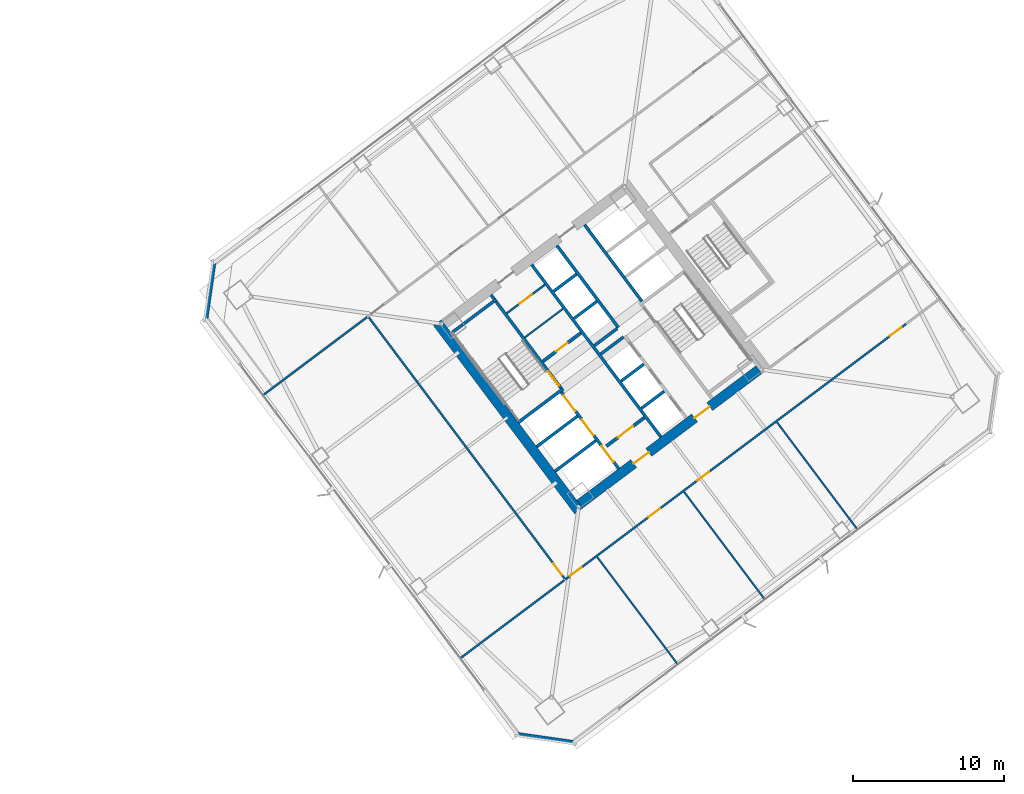
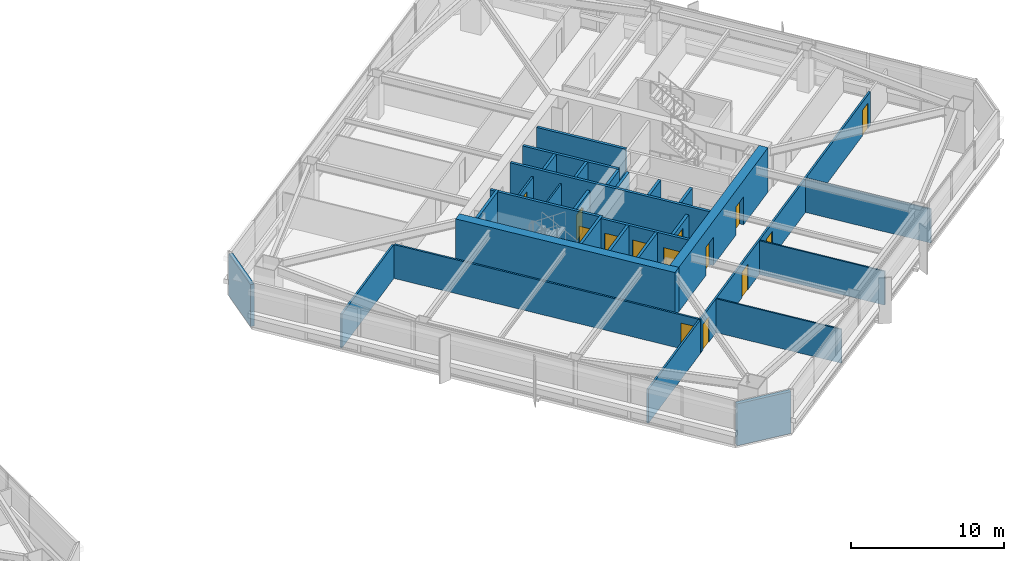
# One storey, part 38 of 49: 30 walls, 14 doors, 14 openings.
"""IFC4 building model written with IfcOpenShell, lengths in metres."""

from ifc_helpers import new_model, si_unit, direction, frame, frame_2d, origin, place, context, subcontext, project, spatial, rectangle, extrude, material, layer, layer_set, type_object, element, fill, save


model = new_model("IFC4")

# Units and contexts
model_context = context("Model", 3, precision=1e-05, world=origin(), true_north=direction((0.0, 1.0)))
body_context = subcontext(model_context, "Body", "Model", "MODEL_VIEW")
ifc_project = project(units=[si_unit("LENGTHUNIT", "METRE"), si_unit("AREAUNIT", "SQUARE_METRE"), si_unit("VOLUMEUNIT", "CUBIC_METRE"), si_unit("PLANEANGLEUNIT", "RADIAN"), si_unit("MASSUNIT", "GRAM", prefix="KILO")], contexts=[model_context])

# Site, building, storey
site_placement = place(None, origin())
site = spatial("IfcSite", under=ifc_project, at=site_placement, CompositionType="ELEMENT")
building_placement = place(site_placement, origin())
building = spatial("IfcBuilding", under=site, at=building_placement, Name="Tashvorn Skyway Center", CompositionType="ELEMENT")
storey_placement = place(building_placement, frame((0.0, 0.0, 70.75)))
storey = spatial("IfcBuildingStorey", under=building, at=storey_placement, Name="L18", CompositionType="ELEMENT", Elevation=70.75)

# Wall
ifc_material_1 = material(Name="Concrete C60/75", Category="concrete")
ifc_layer_1 = layer(ifc_material_1, 0.64990234375)
ifc_layer_set_1 = layer_set([ifc_layer_1], Name="Concrete C60/75")
wall_type_1 = type_object("IfcWallType", Name="WALL-CORE-650", PredefinedType="SHEAR", material=ifc_layer_set_1)
wall_1_placement = place(storey_placement, frame((112.47607421875, 21.10693359375, 0.0), z_axis=(0.0, 0.0, 1.0), x_axis=(-0.600005007985, 0.799996243986, 0.0)))
element("IfcWall", 1, at=wall_1_placement, inside=storey, type_object=wall_type_1, Name="Tower 2 L18 West Core Shear Wall", PredefinedType="SHEAR", context=body_context, shape_type="SweptSolid", body=[
    extrude(rectangle(XDim=15.60009765625, YDim=0.64990234375, at=frame_2d((7.800048828125, 0.0))), origin(), (0.0, 0.0, 1.0), 3.550048828125),
])

# Wall, openings, doors
wall_2_placement = place(storey_placement, frame((124.428955078125, 30.47802734375, 0.0), z_axis=(0.0, 0.0, 1.0), x_axis=(-0.799998028465, -0.600002628705, 0.0)))
wall_2 = element("IfcWall", 2, at=wall_2_placement, inside=storey, type_object=wall_type_1, Name="Tower 2 L18 South Core Shear Wall", PredefinedType="SHEAR", context=body_context, shape_type="SweptSolid", body=[
    extrude(rectangle(XDim=14.85986328125, YDim=0.64990234375, at=frame_2d((7.429931640625, 0.0))), origin(), (0.0, 0.0, 1.0), 3.550048828125),
])
opening_1_placement = place(wall_2_placement, frame((9.1298828125, 0.0, 0.0)))
opening_1 = element("IfcOpeningElement", 3, at=opening_1_placement, cuts=wall_2, Name="Opening D-FFL-1250", PredefinedType="OPENING", context=body_context, shape_type="SweptSolid", body=[
    extrude(rectangle(XDim=1.25, YDim=2.25, at=frame_2d((0.625, 1.125))), frame((0.0, 0.3349609375, 0.0), z_axis=(0.0, -1.0, 0.0), x_axis=(1.0, 0.0, 0.0)), (0.0, 0.0, 1.0), 0.669921875),
])
opening_2_placement = place(wall_2_placement, frame((4.080078125, 0.0, 0.0)))
opening_2 = element("IfcOpeningElement", 4, at=opening_2_placement, cuts=wall_2, Name="Opening D-FFL-1250", PredefinedType="OPENING", context=body_context, shape_type="SweptSolid", body=[
    extrude(rectangle(XDim=1.25, YDim=2.25, at=frame_2d((0.625, 1.125))), frame((0.0, 0.3349609375, 0.0), z_axis=(0.0, -1.0, 0.0), x_axis=(1.0, 0.0, 0.0)), (0.0, 0.0, 1.0), 0.669921875),
])
ifc_material_2 = material(Name="Hollow galvanized steel fire door assembly", Category="steel")
door_type_1 = type_object("IfcDoorType", Name="DOOR-FFL-1250", OperationType="NOTDEFINED", PredefinedType="DOOR", material=ifc_material_2)
door_1_placement = place(opening_1_placement, origin())
door_1 = element("IfcDoor", 5, at=door_1_placement, inside=storey, type_object=door_type_1, Name="Tower 2 L18 Core South Firefighting Exit Door", OperationType="SINGLE_SWING_LEFT", OverallHeight=2.25, OverallWidth=1.25, PredefinedType="DOOR", context=body_context, shape_type="SweptSolid", body=[
    extrude(rectangle(XDim=1.25, YDim=2.25, at=frame_2d((0.625, 1.125))), frame((0.0, 0.02490234375, 0.0), z_axis=(0.0, -1.0, 0.0), x_axis=(1.0, 0.0, 0.0)), (0.0, 0.0, 1.0), 0.050048828125),
])
fill(opening_1, door_1)
door_2_placement = place(opening_2_placement, origin())
door_2 = element("IfcDoor", 6, at=door_2_placement, inside=storey, type_object=door_type_1, Name="Tower 2 L18 Core South Lift Lobby Door", OperationType="SINGLE_SWING_RIGHT", OverallHeight=2.25, OverallWidth=1.25, PredefinedType="DOOR", context=body_context, shape_type="SweptSolid", body=[
    extrude(rectangle(XDim=1.25, YDim=2.25, at=frame_2d((0.625, 1.125))), frame((0.0, 0.02490234375, 0.0), z_axis=(0.0, -1.0, 0.0), x_axis=(1.0, 0.0, 0.0)), (0.0, 0.0, 1.0), 0.050048828125),
])
fill(opening_2, door_2)

# Walls
ifc_material_3 = material(Name="Precast concrete C40/50", Category="concrete")
ifc_layer_2 = layer(ifc_material_3, 0.280029296875)
ifc_layer_set_2 = layer_set([ifc_layer_2], Name="Precast concrete C40/50")
wall_type_2 = type_object("IfcWallType", Name="WALL-EXT-280", PredefinedType="SOLIDWALL", material=ifc_layer_set_2)
for number, where, z_axis, x_axis, name in (
    (7, (112.179931640625, 5.760009765625, 0.0), (0.0, 0.0, 1.0), (-0.989948214866, 0.141430307517, 0.0), "Tower 2 L18 SW Precast Chamfer Wall"),
    (8, (87.760009765625, 33.820068359375, 0.0), (0.0, 0.0, 1.0), (0.141430307517, 0.989948214866, 0.0), "Tower 2 L18 NW Precast Chamfer Wall"),
):
    element("IfcWall", number, at=place(storey_placement, frame(where, z_axis=z_axis, x_axis=x_axis)), inside=storey, type_object=wall_type_2, Name=name, PredefinedType="SOLIDWALL", context=body_context, shape_type="SweptSolid", body=[
        extrude(rectangle(XDim=3.818359375, YDim=0.280029296875, at=frame_2d((1.9091796875, 0.0))), origin(), (0.0, 0.0, 1.0), 3.35009765625),
    ])

# Wall, opening, door
ifc_material_4 = material(Name="Concrete C40/50", Category="concrete")
ifc_layer_3 = layer(ifc_material_4, 0.219970703125)
ifc_layer_set_3 = layer_set([ifc_layer_3], Name="Concrete C40/50")
wall_type_3 = type_object("IfcWallType", Name="WALL-FFL-220", PredefinedType="SOLIDWALL", material=ifc_layer_set_3)
wall_3_placement = place(storey_placement, frame((110.10400390625, 31.028076171875, 0.0), z_axis=(0.0, 0.0, 1.0), x_axis=(0.800018601094, 0.59997519774, 0.0)))
wall_3 = element("IfcWall", 9, at=wall_3_placement, inside=storey, type_object=wall_type_3, Name="Tower 2 L18 Firefighting Lobby North Wall", PredefinedType="SOLIDWALL", context=body_context, shape_type="SweptSolid", body=[
    extrude(rectangle(XDim=3.14990234375, YDim=0.219970703125, at=frame_2d((1.574951171875, 0.0))), origin(), (0.0, 0.0, 1.0), 2.702880859375),
])
opening_3_placement = place(wall_3_placement, frame((1.10009765625, 0.0, 0.0)))
opening_3 = element("IfcOpeningElement", 10, at=opening_3_placement, cuts=wall_3, Name="Opening D-RT-950", PredefinedType="OPENING", context=body_context, shape_type="SweptSolid", body=[
    extrude(rectangle(XDim=0.949951171875, YDim=2.050048828125, at=frame_2d((0.47509765625, 1.02490234375))), frame((0.0, 0.119873046875, 0.0), z_axis=(0.0, -1.0, 0.0), x_axis=(1.0, 0.0, 0.0)), (0.0, 0.0, 1.0), 0.239990234375),
])
door_type_2 = type_object("IfcDoorType", Name="DOOR-RATED-950", OperationType="NOTDEFINED", PredefinedType="DOOR", material=ifc_material_2)
door_3_placement = place(opening_3_placement, origin())
door_3 = element("IfcDoor", 11, at=door_3_placement, inside=storey, type_object=door_type_2, Name="Tower 2 L18 Core Linen Store Door", OperationType="SINGLE_SWING_LEFT", OverallHeight=2.050048828125, OverallWidth=0.949951171875, PredefinedType="DOOR", context=body_context, shape_type="SweptSolid", body=[
    extrude(rectangle(XDim=0.949951171875, YDim=2.050048828125, at=frame_2d((0.47509765625, 1.02490234375))), frame((0.0, 0.02490234375, 0.0), z_axis=(0.0, -1.0, 0.0), x_axis=(1.0, 0.0, 0.0)), (0.0, 0.0, 1.0), 0.050048828125),
])
fill(opening_3, door_3)

wall_4_placement = place(storey_placement, frame((114.31591796875, 25.412109375, 0.0), z_axis=(0.0, 0.0, 1.0), x_axis=(0.800018601094, 0.59997519774, 0.0)))
wall_4 = element("IfcWall", 12, at=wall_4_placement, inside=storey, type_object=wall_type_3, Name="Tower 2 L18 Firefighting Lobby South Wall", PredefinedType="SOLIDWALL", context=body_context, shape_type="SweptSolid", body=[
    extrude(rectangle(XDim=3.14990234375, YDim=0.219970703125, at=frame_2d((1.574951171875, 0.0))), origin(), (0.0, 0.0, 1.0), 2.702880859375),
])
opening_4_placement = place(wall_4_placement, frame((0.949951171875, 0.0, 0.0)))
opening_4 = element("IfcOpeningElement", 13, at=opening_4_placement, cuts=wall_4, Name="Opening D-FFL-1250", PredefinedType="OPENING", context=body_context, shape_type="SweptSolid", body=[
    extrude(rectangle(XDim=1.25, YDim=2.25, at=frame_2d((0.625, 1.125))), frame((0.0, 0.119873046875, 0.0), z_axis=(0.0, -1.0, 0.0), x_axis=(1.0, 0.0, 0.0)), (0.0, 0.0, 1.0), 0.239990234375),
])
door_4_placement = place(opening_4_placement, origin())
door_4 = element("IfcDoor", 14, at=door_4_placement, inside=storey, type_object=door_type_1, Name="Tower 2 L18 Firefighting Lobby Egress Door", OperationType="SINGLE_SWING_LEFT", OverallHeight=2.25, OverallWidth=1.25, PredefinedType="DOOR", context=body_context, shape_type="SweptSolid", body=[
    extrude(rectangle(XDim=1.25, YDim=2.25, at=frame_2d((0.625, 1.125))), frame((0.0, 0.02490234375, 0.0), z_axis=(0.0, -1.0, 0.0), x_axis=(1.0, 0.0, 0.0)), (0.0, 0.0, 1.0), 0.050048828125),
])
fill(opening_4, door_4)

# Walls
ifc_material_5 = material(Name="Gypsum board on cold-formed steel stud framing", Category="steel")
ifc_layer_4 = layer(ifc_material_5, 0.110107421875)
ifc_layer_set_4 = layer_set([ifc_layer_4], Name="Gypsum board on cold-formed steel stud framing")
wall_type_4 = type_object("IfcWallType", Name="WALL-PART-110", PredefinedType="PARTITIONING", material=ifc_layer_set_4)
for number, where, z_axis, x_axis, name in (
    (15, (119.048095703125, 10.93603515625, 0.0), (0.0, 0.0, 1.0), (-0.600013167126, 0.799990124486, 0.0), "Tower 2 L18 South Suite Partition 1"),
    (16, (124.80810546875, 15.256103515625, 0.0), (0.0, 0.0, 1.0), (-0.600013167126, 0.799990124486, 0.0), "Tower 2 L18 South Suite Partition 2"),
):
    element("IfcWall", number, at=place(storey_placement, frame(where, z_axis=z_axis, x_axis=x_axis)), inside=storey, type_object=wall_type_4, Name=name, PredefinedType="PARTITIONING", context=body_context, shape_type="SweptSolid", body=[
        extrude(rectangle(XDim=8.89990234375, YDim=0.110107421875, at=frame_2d((4.449951171875, 0.0))), origin(), (0.0, 0.0, 1.0), 2.702880859375),
    ])
wall_5_placement = place(storey_placement, frame((130.968017578125, 19.8759765625, 0.0), z_axis=(0.0, 0.0, 1.0), x_axis=(-0.6, 0.8, 0.0)))
element("IfcWall", 17, at=wall_5_placement, inside=storey, type_object=wall_type_4, Name="Tower 2 L18 South Suite Partition 3", PredefinedType="PARTITIONING", context=body_context, shape_type="SweptSolid", body=[
    extrude(rectangle(XDim=8.900146484375, YDim=0.110107421875, at=frame_2d((4.4501953125, 0.0))), origin(), (0.0, 0.0, 1.0), 2.702880859375),
])

# Wall, openings, doors
ifc_layer_5 = layer(ifc_material_5, 0.135009765625)
ifc_layer_set_5 = layer_set([ifc_layer_5], Name="Gypsum board on cold-formed steel stud framing")
wall_type_5 = type_object("IfcWallType", Name="WALL-PART-135", PredefinedType="PARTITIONING", material=ifc_layer_set_5)
wall_6_placement = place(storey_placement, frame((134.179931640625, 33.510009765625, 0.0), z_axis=(0.0, 0.0, 1.0), x_axis=(-0.8, -0.6, 0.0)))
wall_6 = element("IfcWall", 18, at=wall_6_placement, inside=storey, type_object=wall_type_5, Name="Tower 2 L18 South Suite Wall", PredefinedType="PARTITIONING", context=body_context, shape_type="SweptSolid", body=[
    extrude(rectangle(XDim=28.22998046875, YDim=0.135009765625, at=frame_2d((14.114990234375, 0.0))), origin(), (0.0, 0.0, 1.0), 2.702880859375),
])
opening_5_placement = place(wall_6_placement, frame((26.89990234375, 0.0, 0.0)))
opening_5 = element("IfcOpeningElement", 19, at=opening_5_placement, cuts=wall_6, Name="Opening D-INT-950", PredefinedType="OPENING", context=body_context, shape_type="SweptSolid", body=[
    extrude(rectangle(XDim=0.949951171875, YDim=2.050048828125, at=frame_2d((0.47509765625, 1.02490234375))), frame((0.0, 0.077392578125, 0.0), z_axis=(0.0, -1.0, 0.0), x_axis=(1.0, 0.0, 0.0)), (0.0, 0.0, 1.0), 0.155029296875),
])
opening_6_placement = place(wall_6_placement, frame((20.398681640625, 0.0, 0.0)))
opening_6 = element("IfcOpeningElement", 20, at=opening_6_placement, cuts=wall_6, Name="Opening D-INT-950", PredefinedType="OPENING", context=body_context, shape_type="SweptSolid", body=[
    extrude(rectangle(XDim=0.949951171875, YDim=2.050048828125, at=frame_2d((0.47509765625, 1.02490234375))), frame((0.0, 0.077392578125, 0.0), z_axis=(0.0, -1.0, 0.0), x_axis=(1.0, 0.0, 0.0)), (0.0, 0.0, 1.0), 0.155029296875),
])
opening_7_placement = place(wall_6_placement, frame((16.338623046875, 0.0, 0.0)))
opening_7 = element("IfcOpeningElement", 21, at=opening_7_placement, cuts=wall_6, Name="Opening D-INT-950", PredefinedType="OPENING", context=body_context, shape_type="SweptSolid", body=[
    extrude(rectangle(XDim=0.949951171875, YDim=2.050048828125, at=frame_2d((0.47509765625, 1.02490234375))), frame((0.0, 0.077392578125, 0.0), z_axis=(0.0, -1.0, 0.0), x_axis=(1.0, 0.0, 0.0)), (0.0, 0.0, 1.0), 0.155029296875),
])
opening_8_placement = place(wall_6_placement, frame((0.3798828125, 0.0, 0.0)))
opening_8 = element("IfcOpeningElement", 22, at=opening_8_placement, cuts=wall_6, Name="Opening D-INT-950", PredefinedType="OPENING", context=body_context, shape_type="SweptSolid", body=[
    extrude(rectangle(XDim=0.949951171875, YDim=2.050048828125, at=frame_2d((0.47509765625, 1.02490234375))), frame((0.0, 0.077392578125, 0.0), z_axis=(0.0, -1.0, 0.0), x_axis=(1.0, 0.0, 0.0)), (0.0, 0.0, 1.0), 0.155029296875),
])
ifc_material_6 = material(Name="Solid-core architectural oak veneer door")
door_type_3 = type_object("IfcDoorType", Name="DOOR-INT-950", OperationType="NOTDEFINED", PredefinedType="DOOR", material=ifc_material_6)
door_5_placement = place(opening_5_placement, origin())
door_5 = element("IfcDoor", 23, at=door_5_placement, inside=storey, type_object=door_type_3, Name="Tower 2 L18 Conference Room Door", OperationType="SINGLE_SWING_RIGHT", OverallHeight=2.050048828125, OverallWidth=0.949951171875, PredefinedType="DOOR", context=body_context, shape_type="SweptSolid", body=[
    extrude(rectangle(XDim=0.949951171875, YDim=2.050048828125, at=frame_2d((0.47509765625, 1.02490234375))), frame((0.0, 0.02490234375, 0.0), z_axis=(0.0, -1.0, 0.0), x_axis=(1.0, 0.0, 0.0)), (0.0, 0.0, 1.0), 0.050048828125),
])
fill(opening_5, door_5)
door_6_placement = place(opening_6_placement, origin())
door_6 = element("IfcDoor", 24, at=door_6_placement, inside=storey, type_object=door_type_3, Name="Tower 2 L18 Boardroom Door", OperationType="SINGLE_SWING_LEFT", OverallHeight=2.050048828125, OverallWidth=0.949951171875, PredefinedType="DOOR", context=body_context, shape_type="SweptSolid", body=[
    extrude(rectangle(XDim=0.949951171875, YDim=2.050048828125, at=frame_2d((0.47509765625, 1.02490234375))), frame((0.0, 0.02490234375, 0.0), z_axis=(0.0, -1.0, 0.0), x_axis=(1.0, 0.0, 0.0)), (0.0, 0.0, 1.0), 0.050048828125),
])
fill(opening_6, door_6)
door_7_placement = place(opening_7_placement, origin())
door_7 = element("IfcDoor", 25, at=door_7_placement, inside=storey, type_object=door_type_3, Name="Tower 2 L18 Boardroom Door", OperationType="SINGLE_SWING_RIGHT", OverallHeight=2.050048828125, OverallWidth=0.949951171875, PredefinedType="DOOR", context=body_context, shape_type="SweptSolid", body=[
    extrude(rectangle(XDim=0.949951171875, YDim=2.050048828125, at=frame_2d((0.47509765625, 1.02490234375))), frame((0.0, 0.02490234375, 0.0), z_axis=(0.0, -1.0, 0.0), x_axis=(1.0, 0.0, 0.0)), (0.0, 0.0, 1.0), 0.050048828125),
])
fill(opening_7, door_7)
door_8_placement = place(opening_8_placement, origin())
door_8 = element("IfcDoor", 26, at=door_8_placement, inside=storey, type_object=door_type_3, Name="Tower 2 L18 Catering Pantry Door", OperationType="SINGLE_SWING_LEFT", OverallHeight=2.050048828125, OverallWidth=0.949951171875, PredefinedType="DOOR", context=body_context, shape_type="SweptSolid", body=[
    extrude(rectangle(XDim=0.949951171875, YDim=2.050048828125, at=frame_2d((0.47509765625, 1.02490234375))), frame((0.0, 0.02490234375, 0.0), z_axis=(0.0, -1.0, 0.0), x_axis=(1.0, 0.0, 0.0)), (0.0, 0.0, 1.0), 0.050048828125),
])
fill(opening_8, door_8)

# Wall, opening, door
wall_7_placement = place(storey_placement, frame((111.548095703125, 16.635986328125, 0.0), z_axis=(0.0, 0.0, 1.0), x_axis=(-0.600003610192, 0.799997292343, 0.0)))
wall_7 = element("IfcWall", 27, at=wall_7_placement, inside=storey, type_object=wall_type_5, Name="Tower 2 L18 West Inner Suite Wall", PredefinedType="PARTITIONING", context=body_context, shape_type="SweptSolid", body=[
    extrude(rectangle(XDim=21.64013671875, YDim=0.135009765625, at=frame_2d((10.820068359375, 0.0))), origin(), (0.0, 0.0, 1.0), 2.702880859375),
])
opening_9_placement = place(wall_7_placement, frame((0.300048828125, 0.0, 0.0)))
opening_9 = element("IfcOpeningElement", 28, at=opening_9_placement, cuts=wall_7, Name="Opening D-INT-950", PredefinedType="OPENING", context=body_context, shape_type="SweptSolid", body=[
    extrude(rectangle(XDim=0.949951171875, YDim=2.050048828125, at=frame_2d((0.47509765625, 1.02490234375))), frame((0.0, 0.077392578125, 0.0), z_axis=(0.0, -1.0, 0.0), x_axis=(1.0, 0.0, 0.0)), (0.0, 0.0, 1.0), 0.155029296875),
])
door_9_placement = place(opening_9_placement, origin())
door_9 = element("IfcDoor", 29, at=door_9_placement, inside=storey, type_object=door_type_3, Name="Tower 2 L18 Catering Pantry Door", OperationType="SINGLE_SWING_RIGHT", OverallHeight=2.050048828125, OverallWidth=0.949951171875, PredefinedType="DOOR", context=body_context, shape_type="SweptSolid", body=[
    extrude(rectangle(XDim=0.949951171875, YDim=2.050048828125, at=frame_2d((0.47509765625, 1.02490234375))), frame((0.0, 0.02490234375, 0.0), z_axis=(0.0, -1.0, 0.0), x_axis=(1.0, 0.0, 0.0)), (0.0, 0.0, 1.0), 0.050048828125),
])
fill(opening_9, door_9)

# Walls
wall_8_placement = place(storey_placement, frame((98.451904296875, 33.964111328125, 0.0), z_axis=(0.0, 0.0, 1.0), x_axis=(-0.799993202584, -0.600009063115, 0.0)))
element("IfcWall", 30, at=wall_8_placement, inside=storey, type_object=wall_type_5, Name="Tower 2 L18 West Suite North Wall", PredefinedType="PARTITIONING", context=body_context, shape_type="SweptSolid", body=[
    extrude(rectangle(XDim=8.6201171875, YDim=0.135009765625, at=frame_2d((4.31005859375, 0.0))), origin(), (0.0, 0.0, 1.0), 2.702880859375),
])
wall_9_placement = place(storey_placement, frame((104.635986328125, 11.35205078125, 0.0), z_axis=(0.0, 0.0, 1.0), x_axis=(0.800006797429, 0.599990936654, 0.0)))
element("IfcWall", 31, at=wall_9_placement, inside=storey, type_object=wall_type_5, Name="Tower 2 L18 West Suite South Wall", PredefinedType="PARTITIONING", context=body_context, shape_type="SweptSolid", body=[
    extrude(rectangle(XDim=8.619873046875, YDim=0.135009765625, at=frame_2d((4.31005859375, 0.0))), origin(), (0.0, 0.0, 1.0), 2.702880859375),
])
ifc_layer_6 = layer(ifc_material_5, 0.110107421875)
ifc_layer_set_6 = layer_set([ifc_layer_6], Name="Gypsum board on cold-formed steel stud framing")
wall_type_6 = type_object("IfcWallType", Name="WALL-RATED-110", PredefinedType="PARTITIONING", material=ifc_layer_set_6)
wall_10_placement = place(storey_placement, frame((108.909912109375, 32.6201171875, 0.0), z_axis=(0.0, 0.0, 1.0), x_axis=(0.800018601094, 0.59997519774, 0.0)))
element("IfcWall", 32, at=wall_10_placement, inside=storey, type_object=wall_type_6, Name="Tower 2 L18 Core Transverse Wall", PredefinedType="PARTITIONING", context=body_context, shape_type="SweptSolid", body=[
    extrude(rectangle(XDim=3.14990234375, YDim=0.110107421875, at=frame_2d((1.574951171875, 0.0))), origin(), (0.0, 0.0, 1.0), 2.702880859375),
])

# Wall, opening, door
ifc_layer_7 = layer(ifc_material_5, 0.135009765625)
ifc_layer_set_7 = layer_set([ifc_layer_7], Name="Gypsum board on cold-formed steel stud framing")
wall_type_7 = type_object("IfcWallType", Name="WALL-RATED-135", PredefinedType="PARTITIONING", material=ifc_layer_set_7)
wall_11_placement = place(storey_placement, frame((107.7099609375, 34.219970703125, 0.0), z_axis=(0.0, 0.0, 1.0), x_axis=(0.799981399002, 0.60002480053, 0.0)))
wall_11 = element("IfcWall", 33, at=wall_11_placement, inside=storey, type_object=wall_type_7, Name="Tower 2 L18 Core Service Lobby Wall", PredefinedType="PARTITIONING", context=body_context, shape_type="SweptSolid", body=[
    extrude(rectangle(XDim=3.150146484375, YDim=0.135009765625, at=frame_2d((1.5751953125, 0.0))), origin(), (0.0, 0.0, 1.0), 2.702880859375),
])
opening_10_placement = place(wall_11_placement, frame((1.050048828125, 0.0, 0.0)))
opening_10 = element("IfcOpeningElement", 34, at=opening_10_placement, cuts=wall_11, Name="Opening D-RT-1050", PredefinedType="OPENING", context=body_context, shape_type="SweptSolid", body=[
    extrude(rectangle(XDim=1.050048828125, YDim=2.199951171875, at=frame_2d((0.52490234375, 1.10009765625))), frame((0.0, 0.077392578125, 0.0), z_axis=(0.0, -1.0, 0.0), x_axis=(1.0, 0.0, 0.0)), (0.0, 0.0, 1.0), 0.155029296875),
])
door_type_4 = type_object("IfcDoorType", Name="DOOR-RATED-1050", OperationType="NOTDEFINED", PredefinedType="DOOR", material=ifc_material_2)
door_10_placement = place(opening_10_placement, origin())
door_10 = element("IfcDoor", 35, at=door_10_placement, inside=storey, type_object=door_type_4, Name="Tower 2 L18 Core Accessible WC Door", OperationType="SINGLE_SWING_RIGHT", OverallHeight=2.199951171875, OverallWidth=1.050048828125, PredefinedType="DOOR", context=body_context, shape_type="SweptSolid", body=[
    extrude(rectangle(XDim=1.050048828125, YDim=2.199951171875, at=frame_2d((0.52490234375, 1.10009765625))), frame((0.0, 0.02490234375, 0.0), z_axis=(0.0, -1.0, 0.0), x_axis=(1.0, 0.0, 0.0)), (0.0, 0.0, 1.0), 0.050048828125),
])
fill(opening_10, door_10)

# Walls
ifc_layer_8 = layer(ifc_material_4, 0.199951171875)
ifc_layer_set_8 = layer_set([ifc_layer_8], Name="Concrete C40/50")
wall_type_8 = type_object("IfcWallType", Name="WALL-SHAFT-200", PredefinedType="SOLIDWALL", material=ifc_layer_set_8)
for number, where, z_axis, x_axis, name in (
    (36, (110.906005859375, 23.741943359375, 0.0), (0.0, 0.0, 1.0), (0.8, 0.6, 0.0), "Tower 2 L18 FSAE Shaft Divider"),
    (37, (109.68798828125, 25.365966796875, 0.0), (0.0, 0.0, 1.0), (0.8, 0.6, 0.0), "Tower 2 L18 FSAE Shaft Divider"),
):
    element("IfcWall", number, at=place(storey_placement, frame(where, z_axis=z_axis, x_axis=x_axis)), inside=storey, type_object=wall_type_8, Name=name, PredefinedType="SOLIDWALL", context=body_context, shape_type="SweptSolid", body=[
        extrude(rectangle(XDim=3.380126953125, YDim=0.199951171875, at=frame_2d((1.68994140625, 0.0))), origin(), (0.0, 0.0, 1.0), 3.35009765625),
    ])
wall_12_placement = place(storey_placement, frame((116.64599609375, 27.922119140625, 0.0), z_axis=(0.0, 0.0, 1.0), x_axis=(0.8, 0.6, 0.0)))
element("IfcWall", 38, at=wall_12_placement, inside=storey, type_object=wall_type_8, Name="Tower 2 L18 Low-Rise Shaft Divider", PredefinedType="SOLIDWALL", context=body_context, shape_type="SweptSolid", body=[
    extrude(rectangle(XDim=1.8798828125, YDim=0.199951171875, at=frame_2d((0.93994140625, 0.0))), origin(), (0.0, 0.0, 1.0), 3.35009765625),
])
wall_13_placement = place(storey_placement, frame((115.2958984375, 29.721923828125, 0.0), z_axis=(0.0, 0.0, 1.0), x_axis=(0.799984418148, 0.600020775241, 0.0)))
element("IfcWall", 39, at=wall_13_placement, inside=storey, type_object=wall_type_8, Name="Tower 2 L18 Low-Rise Shaft Divider", PredefinedType="SOLIDWALL", context=body_context, shape_type="SweptSolid", body=[
    extrude(rectangle(XDim=1.880126953125, YDim=0.199951171875, at=frame_2d((0.93994140625, 0.0))), origin(), (0.0, 0.0, 1.0), 3.35009765625),
])
wall_14_placement = place(storey_placement, frame((113.946044921875, 31.52197265625, 0.0), z_axis=(0.0, 0.0, 1.0), x_axis=(0.8, 0.6, 0.0)))
element("IfcWall", 40, at=wall_14_placement, inside=storey, type_object=wall_type_8, Name="Tower 2 L18 Low-Rise Shaft Divider", PredefinedType="SOLIDWALL", context=body_context, shape_type="SweptSolid", body=[
    extrude(rectangle(XDim=1.8798828125, YDim=0.199951171875, at=frame_2d((0.93994140625, 0.0))), origin(), (0.0, 0.0, 1.0), 3.35009765625),
])
wall_15_placement = place(storey_placement, frame((115.110107421875, 33.27001953125, 0.0), z_axis=(0.0, 0.0, 1.0), x_axis=(-0.600011488909, 0.79999138319, 0.0)))
element("IfcWall", 41, at=wall_15_placement, inside=storey, type_object=wall_type_8, Name="Tower 2 L18 Mid-Rise Core Wall", PredefinedType="SOLIDWALL", context=body_context, shape_type="SweptSolid", body=[
    extrude(rectangle(XDim=6.800048828125, YDim=0.199951171875, at=frame_2d((3.39990234375, 0.0))), origin(), (0.0, 0.0, 1.0), 3.35009765625),
])
wall_16_placement = place(storey_placement, frame((113.52587890625, 32.08203125, 0.0), z_axis=(0.0, 0.0, 1.0), x_axis=(0.800046745961, 0.599937666993, 0.0)))
element("IfcWall", 42, at=wall_16_placement, inside=storey, type_object=wall_type_8, Name="Tower 2 L18 Mid-Rise Shaft Divider", PredefinedType="SOLIDWALL", context=body_context, shape_type="SweptSolid", body=[
    extrude(rectangle(XDim=1.880126953125, YDim=0.199951171875, at=frame_2d((0.93994140625, 0.0))), origin(), (0.0, 0.0, 1.0), 3.35009765625),
])
wall_17_placement = place(storey_placement, frame((112.176025390625, 33.882080078125, 0.0), z_axis=(0.0, 0.0, 1.0), x_axis=(0.8, 0.6, 0.0)))
element("IfcWall", 43, at=wall_17_placement, inside=storey, type_object=wall_type_8, Name="Tower 2 L18 Mid-Rise Shaft Divider", PredefinedType="SOLIDWALL", context=body_context, shape_type="SweptSolid", body=[
    extrude(rectangle(XDim=1.8798828125, YDim=0.199951171875, at=frame_2d((0.93994140625, 0.0))), origin(), (0.0, 0.0, 1.0), 3.35009765625),
])
wall_18_placement = place(storey_placement, frame((110.825927734375, 35.681884765625, 0.0), z_axis=(0.0, 0.0, 1.0), x_axis=(0.799984418148, 0.600020775241, 0.0)))
element("IfcWall", 44, at=wall_18_placement, inside=storey, type_object=wall_type_8, Name="Tower 2 L18 Mid-Rise Shaft Divider", PredefinedType="SOLIDWALL", context=body_context, shape_type="SweptSolid", body=[
    extrude(rectangle(XDim=1.880126953125, YDim=0.199951171875, at=frame_2d((0.93994140625, 0.0))), origin(), (0.0, 0.0, 1.0), 3.35009765625),
])

# Wall, opening, door
ifc_layer_9 = layer(ifc_material_4, 0.199951171875)
ifc_layer_set_9 = layer_set([ifc_layer_9], Name="Concrete C40/50")
wall_type_9 = type_object("IfcWallType", Name="WALL-STSHF-200", PredefinedType="SHEAR", material=ifc_layer_set_9)
wall_19_placement = place(storey_placement, frame((111.43994140625, 29.080078125, 0.0), z_axis=(0.0, 0.0, 1.0), x_axis=(-0.600009827119, 0.799992629566, 0.0)))
wall_19 = element("IfcWall", 45, at=wall_19_placement, inside=storey, type_object=wall_type_9, Name="Tower 2 L18 Stair 1 Enclosure Wall", PredefinedType="SHEAR", context=body_context, shape_type="SweptSolid", body=[
    extrude(rectangle(XDim=7.949951171875, YDim=0.199951171875, at=frame_2d((3.97509765625, 0.0))), origin(), (0.0, 0.0, 1.0), 3.35009765625),
])
opening_11_placement = place(wall_19_placement, frame((0.449951171875, 0.0, 0.0)))
opening_11 = element("IfcOpeningElement", 46, at=opening_11_placement, cuts=wall_19, Name="Opening D-ST-1150", PredefinedType="OPENING", context=body_context, shape_type="SweptSolid", body=[
    extrude(rectangle(XDim=1.14990234375, YDim=2.199951171875, at=frame_2d((0.574951171875, 1.10009765625))), frame((0.0, 0.10986328125, 0.0), z_axis=(0.0, -1.0, 0.0), x_axis=(1.0, 0.0, 0.0)), (0.0, 0.0, 1.0), 0.219970703125),
])
door_type_5 = type_object("IfcDoorType", Name="DOOR-STAIR-1150", OperationType="NOTDEFINED", PredefinedType="DOOR", material=ifc_material_2)
door_11_placement = place(opening_11_placement, origin())
door_11 = element("IfcDoor", 47, at=door_11_placement, inside=storey, type_object=door_type_5, Name="Tower 2 L18 Exit Stair 1 Door", OperationType="SINGLE_SWING_RIGHT", OverallHeight=2.199951171875, OverallWidth=1.14990234375, PredefinedType="DOOR", context=body_context, shape_type="SweptSolid", body=[
    extrude(rectangle(XDim=1.14990234375, YDim=2.199951171875, at=frame_2d((0.574951171875, 1.10009765625))), frame((0.0, 0.02490234375, 0.0), z_axis=(0.0, -1.0, 0.0), x_axis=(1.0, 0.0, 0.0)), (0.0, 0.0, 1.0), 0.050048828125),
])
fill(opening_11, door_11)

# Walls
for number, where, z_axis, x_axis, name in (
    (48, (108.47607421875, 26.98193359375, 0.0), (0.0, 0.0, 1.0), (0.799984290658, 0.600020945218, 0.0), "Tower 2 L18 Stair 1 South Wall"),
    (49, (104.035888671875, 32.902099609375, 0.0), (0.0, 0.0, 1.0), (0.800039270442, 0.59994763584, 0.0), "Tower 2 L18 Stair 1 North Wall"),
):
    element("IfcWall", number, at=place(storey_placement, frame(where, z_axis=z_axis, x_axis=x_axis)), inside=storey, type_object=wall_type_9, Name=name, PredefinedType="SHEAR", context=body_context, shape_type="SweptSolid", body=[
        extrude(rectangle(XDim=3.72998046875, YDim=0.199951171875, at=frame_2d((1.864990234375, 0.0))), origin(), (0.0, 0.0, 1.0), 3.35009765625),
    ])
wall_20_placement = place(storey_placement, frame((117.93798828125, 26.01611328125, 0.0), z_axis=(0.0, 0.0, 1.0), x_axis=(-0.600005463273, 0.799995902516, 0.0)))
element("IfcWall", 50, at=wall_20_placement, inside=storey, type_object=wall_type_9, Name="Tower 2 L18 Firefighting Lobby East Smoke Barrier", PredefinedType="SHEAR", context=body_context, shape_type="SweptSolid", body=[
    extrude(rectangle(XDim=14.300048828125, YDim=0.199951171875, at=frame_2d((7.14990234375, 0.0))), origin(), (0.0, 0.0, 1.0), 3.35009765625),
])

# Wall, openings, doors
wall_21_placement = place(storey_placement, frame((115.1298828125, 23.909912109375, 0.0), z_axis=(0.0, 0.0, 1.0), x_axis=(-0.599975393228, 0.800018454488, 0.0)))
wall_21 = element("IfcWall", 51, at=wall_21_placement, inside=storey, type_object=wall_type_9, Name="Tower 2 L18 FSAE and Goods Shaft Front Wall", PredefinedType="SHEAR", context=body_context, shape_type="SweptSolid", body=[
    extrude(rectangle(XDim=6.349853515625, YDim=0.199951171875, at=frame_2d((3.1748046875, 0.0))), origin(), (0.0, 0.0, 1.0), 3.35009765625),
])
opening_12_placement = place(wall_21_placement, frame((4.77490234375, 0.0, 0.0)))
opening_12 = element("IfcOpeningElement", 52, at=opening_12_placement, cuts=wall_21, Name="Opening LD-FF-T2-1-L18", PredefinedType="OPENING", context=body_context, shape_type="SweptSolid", body=[
    extrude(rectangle(XDim=1.300048828125, YDim=2.25, at=frame_2d((0.64990234375, 1.125))), frame((0.0, 0.10986328125, 0.0), z_axis=(0.0, -1.0, 0.0), x_axis=(1.0, 0.0, 0.0)), (0.0, 0.0, 1.0), 0.219970703125),
])
opening_13_placement = place(wall_21_placement, frame((2.77490234375, 0.0, 0.0)))
opening_13 = element("IfcOpeningElement", 53, at=opening_13_placement, cuts=wall_21, Name="Opening LD-FF-T2-2-L18", PredefinedType="OPENING", context=body_context, shape_type="SweptSolid", body=[
    extrude(rectangle(XDim=1.300048828125, YDim=2.25, at=frame_2d((0.64990234375, 1.125))), frame((0.0, 0.10986328125, 0.0), z_axis=(0.0, -1.0, 0.0), x_axis=(1.0, 0.0, 0.0)), (0.0, 0.0, 1.0), 0.219970703125),
])
opening_14_placement = place(wall_21_placement, frame((0.574951171875, 0.0, 0.0)))
opening_14 = element("IfcOpeningElement", 54, at=opening_14_placement, cuts=wall_21, Name="Opening LD-GD-T2-1-L18", PredefinedType="OPENING", context=body_context, shape_type="SweptSolid", body=[
    extrude(rectangle(XDim=1.300048828125, YDim=2.25, at=frame_2d((0.64990234375, 1.125))), frame((0.0, 0.10986328125, 0.0), z_axis=(0.0, -1.0, 0.0), x_axis=(1.0, 0.0, 0.0)), (0.0, 0.0, 1.0), 0.219970703125),
])
ifc_material_7 = material(Name="Stainless steel heavy-duty landing door", Category="steel")
door_type_6 = type_object("IfcDoorType", Name="DOOR-LIFT-1300", OperationType="SLIDING_TO_LEFT", PredefinedType="DOOR", material=ifc_material_7)
door_12_placement = place(opening_12_placement, origin())
door_12 = element("IfcDoor", 55, at=door_12_placement, inside=storey, type_object=door_type_6, Name="Lift FF-T2-1 L18 Landing Door", OperationType="SLIDING_TO_LEFT", OverallHeight=2.25, OverallWidth=1.300048828125, PredefinedType="DOOR", context=body_context, shape_type="SweptSolid", body=[
    extrude(rectangle(XDim=1.300048828125, YDim=2.25, at=frame_2d((0.64990234375, 1.125))), frame((0.0, 0.02490234375, 0.0), z_axis=(0.0, -1.0, 0.0), x_axis=(1.0, 0.0, 0.0)), (0.0, 0.0, 1.0), 0.050048828125),
])
fill(opening_12, door_12)
door_13_placement = place(opening_13_placement, origin())
door_13 = element("IfcDoor", 56, at=door_13_placement, inside=storey, type_object=door_type_6, Name="Lift FF-T2-2 L18 Landing Door", OperationType="SLIDING_TO_LEFT", OverallHeight=2.25, OverallWidth=1.300048828125, PredefinedType="DOOR", context=body_context, shape_type="SweptSolid", body=[
    extrude(rectangle(XDim=1.300048828125, YDim=2.25, at=frame_2d((0.64990234375, 1.125))), frame((0.0, 0.02490234375, 0.0), z_axis=(0.0, -1.0, 0.0), x_axis=(1.0, 0.0, 0.0)), (0.0, 0.0, 1.0), 0.050048828125),
])
fill(opening_13, door_13)
door_14_placement = place(opening_14_placement, origin())
door_14 = element("IfcDoor", 57, at=door_14_placement, inside=storey, type_object=door_type_6, Name="Lift GD-T2-1 L18 Landing Door", OperationType="SLIDING_TO_LEFT", OverallHeight=2.25, OverallWidth=1.300048828125, PredefinedType="DOOR", context=body_context, shape_type="SweptSolid", body=[
    extrude(rectangle(XDim=1.300048828125, YDim=2.25, at=frame_2d((0.64990234375, 1.125))), frame((0.0, 0.02490234375, 0.0), z_axis=(0.0, -1.0, 0.0), x_axis=(1.0, 0.0, 0.0)), (0.0, 0.0, 1.0), 0.050048828125),
])
fill(opening_14, door_14)

# Wall
wall_22_placement = place(storey_placement, frame((112.8701171875, 40.090087890625, 0.0), z_axis=(0.0, 0.0, 1.0), x_axis=(0.599975393228, -0.800018454488, 0.0)))
element("IfcWall", 58, at=wall_22_placement, inside=storey, type_object=wall_type_9, Name="Tower 2 L18 High-Rise Lift Shaft Front Wall", PredefinedType="SHEAR", context=body_context, shape_type="SweptSolid", body=[
    extrude(rectangle(XDim=6.349853515625, YDim=0.199951171875, at=frame_2d((3.1748046875, 0.0))), origin(), (0.0, 0.0, 1.0), 3.35009765625),
])

save(model, "model.ifc")
